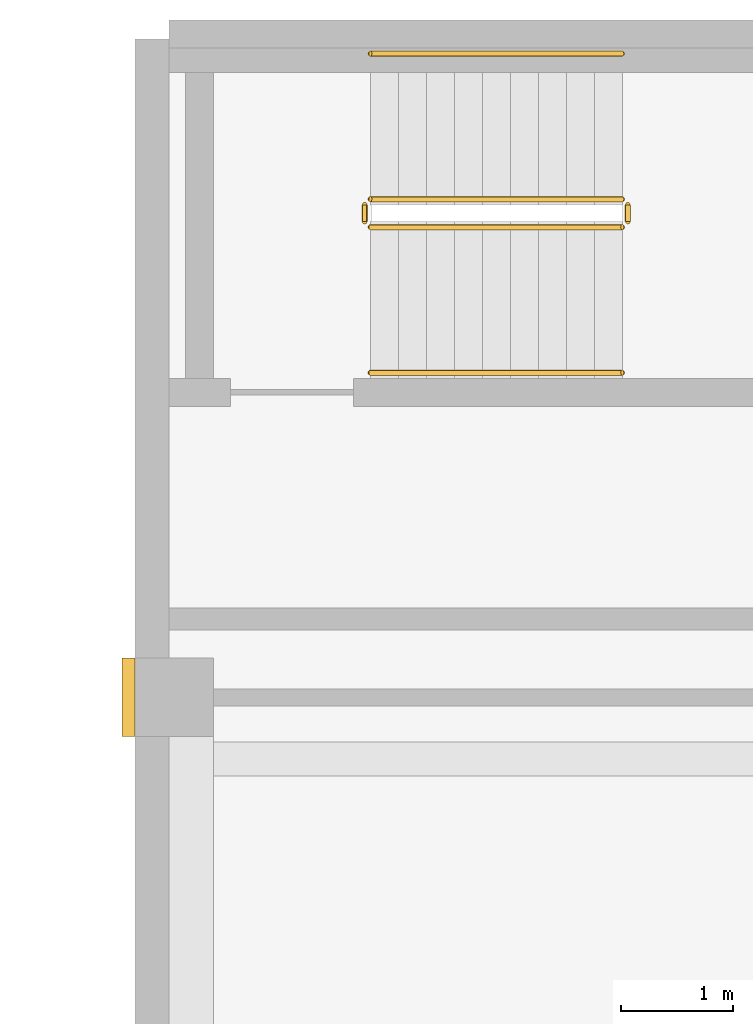
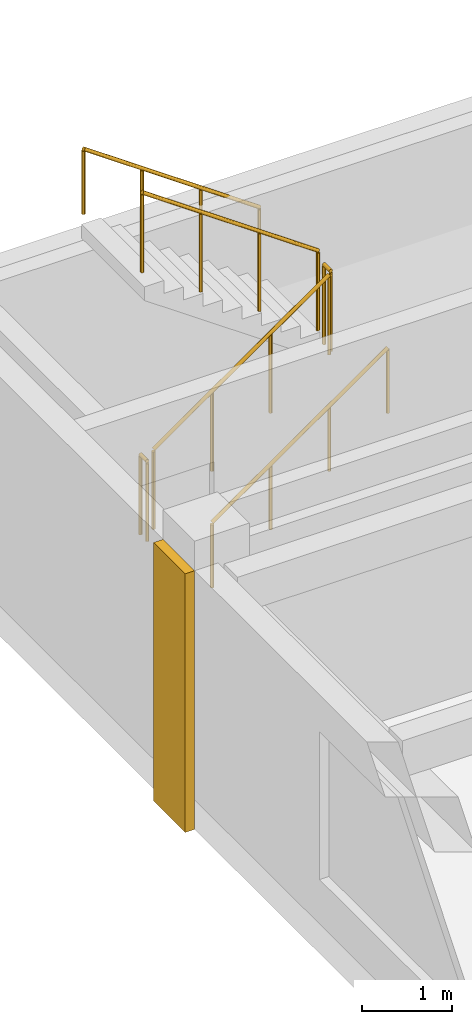
# One storey, part 9 of 9: 6 railings, 1 covering.
"""IFC4 building model written with IfcOpenShell, lengths in metres."""

from ifc_helpers import new_model, si_unit, direction, frame, origin, origin_2d, place, context, subcontext, project, spatial, rectangle, circle, extrude, source, transform, mapped, material, type_object, element, save


model = new_model("IFC4")

# Units and contexts
model_context = context("Model", 3, precision=1e-05, world=origin(), true_north=direction((0.0, 1.0)))
body_context = subcontext(model_context, "Body", "Model", "MODEL_VIEW")
ifc_project = project(units=[si_unit("LENGTHUNIT", "METRE"), si_unit("AREAUNIT", "SQUARE_METRE"), si_unit("VOLUMEUNIT", "CUBIC_METRE"), si_unit("PLANEANGLEUNIT", "RADIAN"), si_unit("MASSUNIT", "GRAM", prefix="KILO")], contexts=[model_context])

# Site, building, storey
site_placement = place(None, origin())
site = spatial("IfcSite", under=ifc_project, at=site_placement, CompositionType="ELEMENT")
building_placement = place(site_placement, origin())
building = spatial("IfcBuilding", under=site, at=building_placement, Name="Aurelian Terraces", CompositionType="ELEMENT")
storey_placement = place(building_placement, frame((0.0, 0.0, 295.0)))
storey = spatial("IfcBuildingStorey", under=building, at=storey_placement, Name="L67", CompositionType="ELEMENT", Elevation=295.0)

# Covering
ifc_material_1 = material(Name="Terracotta rainscreen cladding relief", Category="masonry")
covering_type = type_object("IfcCoveringType", Name="BAGUETTE-TC", PredefinedType="CLADDING", material=ifc_material_1)
shared_shape_1 = source(origin(), body_context, "Body", "SweptSolid", [
    extrude(rectangle(XDim=0.12, YDim=0.7, at=origin_2d()), origin(), (0.0, 0.0, 1.0), 3.5),
])
covering_placement = place(storey_placement, frame((10.44, 37.8, -0.4), z_axis=(0.0, 0.0, 1.0), x_axis=(1.0, 0.0, 0.0)))
element("IfcCovering", 1, at=covering_placement, inside=storey, type_object=covering_type, Name="BAGUETTE pier L67 6", PredefinedType="CLADDING", context=body_context, shape_type="MappedRepresentation", body=[
    mapped(shared_shape_1, transform((0.0, 0.0, 0.0), scale=1.0)),
])

# Railings
ifc_material_2 = material(Name="Stainless steel", Category="steel")
railing_type_1 = type_object("IfcRailingType", Name="Stair guard 1100", PredefinedType="GUARDRAIL", material=ifc_material_2)
shared_shape_2 = source(origin(), body_context, "Body", "SweptSolid", [
    extrude(circle(Radius=0.024, at=origin_2d()), frame((0.0, 0.0, 1.076), z_axis=(0.0, 1.0, 0.0), x_axis=(-1.0, 0.0, 0.0)), (0.0, 0.0, 1.0), 0.15),
    extrude(circle(Radius=0.021, at=origin_2d()), origin(), (0.0, 0.0, 1.0), 1.052),
    extrude(circle(Radius=0.021, at=origin_2d()), frame((0.0, 0.15, 0.0)), (0.0, 0.0, 1.0), 1.052),
])
for number, where, name in (
    (2, (14.9, 42.05, 1.75), "L67 S3U stair guard 2"),
    (3, (12.55, 42.05, 0.0), "L67 S3U stair guard 4"),
):
    element("IfcRailing", number, at=place(storey_placement, frame(where)), inside=storey, type_object=railing_type_1, Name=name, PredefinedType="GUARDRAIL", context=body_context, shape_type="MappedRepresentation", body=[
        mapped(shared_shape_2, transform((0.0, 0.0, 0.0), scale=1.0)),
    ])
shared_shape_3 = source(origin(), body_context, "Body", "SweptSolid", [
    extrude(circle(Radius=0.024, at=origin_2d()), frame((0.0, 0.0, 1.076), z_axis=(0.819231920519, 0.0, 0.573462344363), x_axis=(0.0, 1.0, 0.0)), (0.0, 0.0, 1.0), 2.7465),
    extrude(circle(Radius=0.021, at=origin_2d()), origin(), (0.0, 0.0, 1.0), 1.052),
    extrude(circle(Radius=0.021, at=origin_2d()), frame((0.75, 0.0, 0.525)), (0.0, 0.0, 1.0), 1.052),
    extrude(circle(Radius=0.021, at=origin_2d()), frame((1.5, 0.0, 1.05)), (0.0, 0.0, 1.0), 1.052),
    extrude(circle(Radius=0.021, at=origin_2d()), frame((2.25, 0.0, 1.575)), (0.0, 0.0, 1.0), 1.052),
])
railing_1_placement = place(storey_placement, frame((12.6, 42.0, 0.175)))
element("IfcRailing", 4, at=railing_1_placement, inside=storey, type_object=railing_type_1, Name="L67 S3U stair guard 1", PredefinedType="GUARDRAIL", context=body_context, shape_type="MappedRepresentation", body=[
    mapped(shared_shape_3, transform((0.0, 0.0, 0.0), scale=1.0)),
])
shared_shape_4 = source(origin(), body_context, "Body", "SweptSolid", [
    extrude(circle(Radius=0.024, at=origin_2d()), frame((0.0, 0.0, 1.076), z_axis=(-0.819231920519, 0.0, 0.573462344363), x_axis=(0.0, -1.0, 0.0)), (0.0, 0.0, 1.0), 2.7465),
    extrude(circle(Radius=0.021, at=origin_2d()), origin(), (0.0, 0.0, 1.0), 1.052),
    extrude(circle(Radius=0.021, at=origin_2d()), frame((-0.75, 0.0, 0.525)), (0.0, 0.0, 1.0), 1.052),
    extrude(circle(Radius=0.021, at=origin_2d()), frame((-1.5, 0.0, 1.05)), (0.0, 0.0, 1.0), 1.052),
    extrude(circle(Radius=0.021, at=origin_2d()), frame((-2.25, 0.0, 1.575)), (0.0, 0.0, 1.0), 1.052),
])
railing_2_placement = place(storey_placement, frame((14.85, 42.25, 1.925)))
element("IfcRailing", 5, at=railing_2_placement, inside=storey, type_object=railing_type_1, Name="L67 S3U stair guard 3", PredefinedType="GUARDRAIL", context=body_context, shape_type="MappedRepresentation", body=[
    mapped(shared_shape_4, transform((0.0, 0.0, 0.0), scale=1.0)),
])
railing_type_2 = type_object("IfcRailingType", Name="Stair handrail", PredefinedType="HANDRAIL", material=ifc_material_2)
shared_shape_5 = source(origin(), body_context, "Body", "SweptSolid", [
    extrude(circle(Radius=0.024, at=origin_2d()), frame((0.0, 0.0, 0.876), z_axis=(0.819231920519, 0.0, 0.573462344363), x_axis=(0.0, 1.0, 0.0)), (0.0, 0.0, 1.0), 2.7465),
    extrude(circle(Radius=0.021, at=origin_2d()), origin(), (0.0, 0.0, 1.0), 0.852),
    extrude(circle(Radius=0.021, at=origin_2d()), frame((0.75, 0.0, 0.525)), (0.0, 0.0, 1.0), 0.852),
    extrude(circle(Radius=0.021, at=origin_2d()), frame((1.5, 0.0, 1.05)), (0.0, 0.0, 1.0), 0.852),
    extrude(circle(Radius=0.021, at=origin_2d()), frame((2.25, 0.0, 1.575)), (0.0, 0.0, 1.0), 0.852),
])
railing_3_placement = place(storey_placement, frame((12.6, 40.7, 0.175)))
element("IfcRailing", 6, at=railing_3_placement, inside=storey, type_object=railing_type_2, Name="L67 S3U stair handrail 1", PredefinedType="HANDRAIL", context=body_context, shape_type="MappedRepresentation", body=[
    mapped(shared_shape_5, transform((0.0, 0.0, 0.0), scale=1.0)),
])
shared_shape_6 = source(origin(), body_context, "Body", "SweptSolid", [
    extrude(circle(Radius=0.024, at=origin_2d()), frame((0.0, 0.0, 0.876), z_axis=(-0.819231920519, 0.0, 0.573462344363), x_axis=(0.0, -1.0, 0.0)), (0.0, 0.0, 1.0), 2.7465),
    extrude(circle(Radius=0.021, at=origin_2d()), origin(), (0.0, 0.0, 1.0), 0.852),
    extrude(circle(Radius=0.021, at=origin_2d()), frame((-0.75, 0.0, 0.525)), (0.0, 0.0, 1.0), 0.852),
    extrude(circle(Radius=0.021, at=origin_2d()), frame((-1.5, 0.0, 1.05)), (0.0, 0.0, 1.0), 0.852),
    extrude(circle(Radius=0.021, at=origin_2d()), frame((-2.25, 0.0, 1.575)), (0.0, 0.0, 1.0), 0.852),
])
railing_4_placement = place(storey_placement, frame((14.85, 43.55, 1.925)))
element("IfcRailing", 7, at=railing_4_placement, inside=storey, type_object=railing_type_2, Name="L67 S3U stair handrail 2", PredefinedType="HANDRAIL", context=body_context, shape_type="MappedRepresentation", body=[
    mapped(shared_shape_6, transform((0.0, 0.0, 0.0), scale=1.0)),
])

save(model, "model.ifc")
